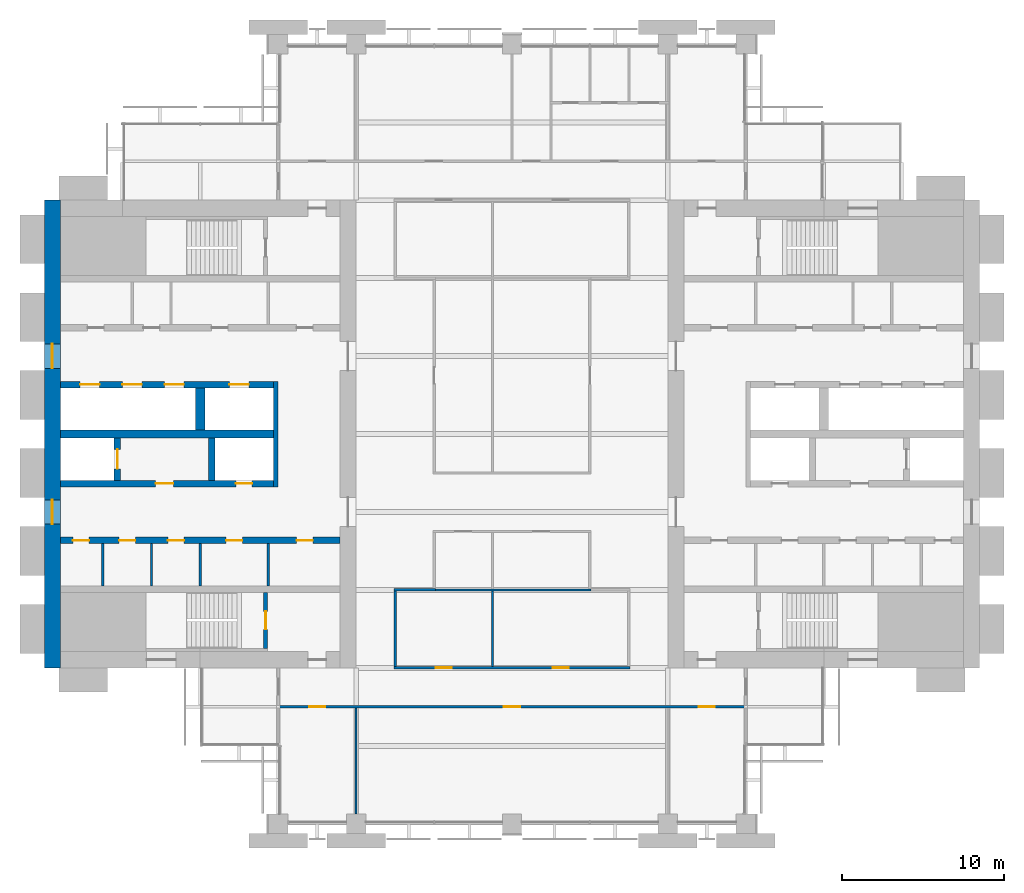
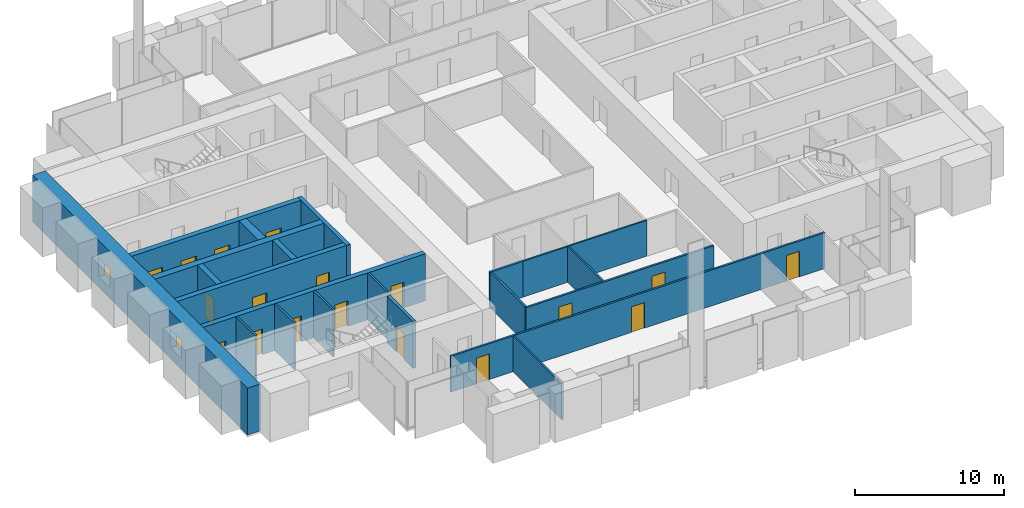
# One storey, part 9 of 14: 21 walls, 18 doors, 2 windows, 20 openings.
"""IFC4 building model written with IfcOpenShell, lengths in metres."""

from ifc_helpers import new_model, si_unit, direction, frame, frame_2d, origin, place, context, subcontext, project, spatial, rectangle, extrude, material, layer, layer_set, type_object, element, fill, save


model = new_model("IFC4")

# Units and contexts
model_context = context("Model", 3, precision=1e-05, world=origin(), true_north=direction((0.0, 1.0)))
body_context = subcontext(model_context, "Body", "Model", "MODEL_VIEW")
ifc_project = project(units=[si_unit("LENGTHUNIT", "METRE"), si_unit("AREAUNIT", "SQUARE_METRE"), si_unit("VOLUMEUNIT", "CUBIC_METRE"), si_unit("PLANEANGLEUNIT", "RADIAN"), si_unit("MASSUNIT", "GRAM", prefix="KILO")], contexts=[model_context])

# Site, building, storey
site_placement = place(None, origin())
site = spatial("IfcSite", under=ifc_project, at=site_placement, CompositionType="ELEMENT")
building_placement = place(site_placement, origin())
building = spatial("IfcBuilding", under=site, at=building_placement, Name="Baori Bourse Tower", CompositionType="ELEMENT")
storey_placement = place(building_placement, frame((0.0, 0.0, 144.10009765625)))
storey = spatial("IfcBuildingStorey", under=building, at=storey_placement, Name="L31", CompositionType="ELEMENT", Elevation=144.10009765625)

# Walls
ifc_material_1 = material(Name="Blockwork partition", Category="masonry")
ifc_layer_1 = layer(ifc_material_1, 0.14990234375)
ifc_layer_set_1 = layer_set([ifc_layer_1], Name="Core partition 150")
wall_type_1 = type_object("IfcWallType", Name="Core partition 150", PredefinedType="PARTITIONING", material=ifc_layer_set_1)
for number, where, z_axis, x_axis, name in (
    (1, (3.60009765625, 14.64990234375, 0.0), (0.0, 0.0, 1.0), (0.0, 1.0, 0.0), "Partition wall W10"),
    (2, (6.60009765625, 14.64990234375, 0.0), (0.0, 0.0, 1.0), (0.0, 1.0, 0.0), "Partition wall W11"),
    (3, (9.60009765625, 14.64990234375, 0.0), (0.0, 0.0, 1.0), (0.0, 1.0, 0.0), "Partition wall W12"),
    (4, (13.800048828125, 14.64990234375, 0.0), (0.0, 0.0, 1.0), (0.0, 1.0, 0.0), "Partition wall W13"),
):
    element("IfcWall", number, at=place(storey_placement, frame(where, z_axis=z_axis, x_axis=x_axis)), inside=storey, type_object=wall_type_1, Name=name, PredefinedType="PARTITIONING", context=body_context, shape_type="SweptSolid", body=[
        extrude(rectangle(XDim=2.60009765625, YDim=0.14990234375, at=frame_2d((1.300048828125, 0.0))), origin(), (0.0, 0.0, 1.0), 3.83984375),
    ])

# Wall, openings, windows
ifc_material_2 = material(Name="Concrete f'c 60 MPa", Category="concrete")
ifc_layer_2 = layer(ifc_material_2, 1.0)
ifc_layer_set_2 = layer_set([ifc_layer_2], Name="Core wall 1000 f'c 60")
wall_type_2 = type_object("IfcWallType", Name="Core wall 1000 f'c 60", PredefinedType="SHEAR", material=ifc_layer_set_2)
wall_1_placement = place(storey_placement, frame((0.5, 9.60009765625, 0.0), z_axis=(0.0, 0.0, 1.0), x_axis=(0.0, 1.0, 0.0)))
wall_1 = element("IfcWall", 5, at=wall_1_placement, inside=storey, type_object=wall_type_2, Name="Core wall W01", PredefinedType="SHEAR", context=body_context, shape_type="SweptSolid", body=[
    extrude(rectangle(XDim=28.7998046875, YDim=1.0, at=frame_2d((14.39990234375, 0.0))), origin(), (0.0, 0.0, 1.0), 3.83984375),
])
opening_1_placement = place(wall_1_placement, frame((8.85009765625, 0.0, 0.89990234375)))
opening_1 = element("IfcOpeningElement", 6, at=opening_1_placement, cuts=wall_1, Name="Opening L31-KW101", PredefinedType="OPENING", context=body_context, shape_type="SweptSolid", body=[
    extrude(rectangle(XDim=1.5, YDim=1.5, at=frame_2d((0.75, 0.75))), frame((0.0, 0.510009765625, 0.0), z_axis=(0.0, -1.0, 0.0), x_axis=(1.0, 0.0, 0.0)), (0.0, 0.0, 1.0), 1.02001953125),
])
opening_2_placement = place(wall_1_placement, frame((18.449951171875, 0.0, 0.89990234375)))
opening_2 = element("IfcOpeningElement", 7, at=opening_2_placement, cuts=wall_1, Name="Opening L31-KW102", PredefinedType="OPENING", context=body_context, shape_type="SweptSolid", body=[
    extrude(rectangle(XDim=1.5, YDim=1.5, at=frame_2d((0.75, 0.75))), frame((0.0, 0.510009765625, 0.0), z_axis=(0.0, -1.0, 0.0), x_axis=(1.0, 0.0, 0.0)), (0.0, 0.0, 1.0), 1.02001953125),
])
ifc_material_3 = material(Name="Pale anodised aluminium", Category="aluminium")
window_type = type_object("IfcWindowType", Name="Lobby window 1500 x 1500", PartitioningType="SINGLE_PANEL", PredefinedType="WINDOW", material=ifc_material_3)
window_1_placement = place(opening_1_placement, origin())
window_1 = element("IfcWindow", 8, at=window_1_placement, inside=storey, type_object=window_type, Name="Outer wall window W L31 1", OverallHeight=1.5, OverallWidth=1.5, PartitioningType="SINGLE_PANEL", PredefinedType="WINDOW", context=body_context, shape_type="SweptSolid", body=[
    extrude(rectangle(XDim=1.5, YDim=1.5, at=frame_2d((0.75, 0.75))), frame((0.0, 0.030029296875, 0.0), z_axis=(0.0, -1.0, 0.0), x_axis=(1.0, 0.0, 0.0)), (0.0, 0.0, 1.0), 0.06005859375),
])
fill(opening_1, window_1)
window_2_placement = place(opening_2_placement, origin())
window_2 = element("IfcWindow", 9, at=window_2_placement, inside=storey, type_object=window_type, Name="Outer wall window W L31 2", OverallHeight=1.5, OverallWidth=1.5, PartitioningType="SINGLE_PANEL", PredefinedType="WINDOW", context=body_context, shape_type="SweptSolid", body=[
    extrude(rectangle(XDim=1.5, YDim=1.5, at=frame_2d((0.75, 0.75))), frame((0.0, 0.030029296875, 0.0), z_axis=(0.0, -1.0, 0.0), x_axis=(1.0, 0.0, 0.0)), (0.0, 0.0, 1.0), 0.06005859375),
])
fill(opening_2, window_2)

# Wall, openings, doors
ifc_material_4 = material(Name="Gypsum board partition")
ifc_layer_3 = layer(ifc_material_4, 0.14990234375)
ifc_layer_set_3 = layer_set([ifc_layer_3], Name="Corridor partition 150")
wall_type_3 = type_object("IfcWallType", Name="Corridor partition 150", PredefinedType="PARTITIONING", material=ifc_layer_set_3)
wall_2_placement = place(storey_placement, frame((14.324951171875, 7.199951171875, 0.0), z_axis=(0.0, 0.0, 1.0), x_axis=(1.0, 0.0, 0.0)))
wall_2 = element("IfcWall", 10, at=wall_2_placement, inside=storey, type_object=wall_type_3, Name="Partition", PredefinedType="PARTITIONING", context=body_context, shape_type="SweptSolid", body=[
    extrude(rectangle(XDim=28.949951171875, YDim=0.14990234375, at=frame_2d((14.47509765625, 0.0))), origin(), (0.0, 0.0, 1.0), 2.935546875),
])
opening_3_placement = place(wall_2_placement, frame((1.97509765625, 0.0, 0.0)))
opening_3 = element("IfcOpeningElement", 11, at=opening_3_placement, cuts=wall_2, Name="Opening L31-D01", PredefinedType="OPENING", context=body_context, shape_type="SweptSolid", body=[
    extrude(rectangle(XDim=1.0, YDim=2.10009765625, at=frame_2d((0.5, 1.050048828125))), frame((0.0, 0.0849609375, 0.0), z_axis=(0.0, -1.0, 0.0), x_axis=(1.0, 0.0, 0.0)), (0.0, 0.0, 1.0), 0.169921875),
])
opening_4_placement = place(wall_2_placement, frame((13.97509765625, 0.0, 0.0)))
opening_4 = element("IfcOpeningElement", 12, at=opening_4_placement, cuts=wall_2, Name="Opening L31-D02", PredefinedType="OPENING", context=body_context, shape_type="SweptSolid", body=[
    extrude(rectangle(XDim=1.0, YDim=2.10009765625, at=frame_2d((0.5, 1.050048828125))), frame((0.0, 0.0849609375, 0.0), z_axis=(0.0, -1.0, 0.0), x_axis=(1.0, 0.0, 0.0)), (0.0, 0.0, 1.0), 0.169921875),
])
opening_5_placement = place(wall_2_placement, frame((25.97509765625, 0.0, 0.0)))
opening_5 = element("IfcOpeningElement", 13, at=opening_5_placement, cuts=wall_2, Name="Opening L31-D03", PredefinedType="OPENING", context=body_context, shape_type="SweptSolid", body=[
    extrude(rectangle(XDim=1.0, YDim=2.10009765625, at=frame_2d((0.5, 1.050048828125))), frame((0.0, 0.0849609375, 0.0), z_axis=(0.0, -1.0, 0.0), x_axis=(1.0, 0.0, 0.0)), (0.0, 0.0, 1.0), 0.169921875),
])
ifc_material_5 = material(Name="Timber door leaf", Category="wood")
door_type_1 = type_object("IfcDoorType", Name="Door 1000 x 2100", OperationType="SINGLE_SWING_LEFT", PredefinedType="DOOR", material=ifc_material_5)
door_1_placement = place(opening_3_placement, origin())
door_1 = element("IfcDoor", 14, at=door_1_placement, inside=storey, type_object=door_type_1, Name="Door", OperationType="SINGLE_SWING_LEFT", OverallHeight=2.10009765625, OverallWidth=1.0, PredefinedType="DOOR", context=body_context, shape_type="SweptSolid", body=[
    extrude(rectangle(XDim=1.0, YDim=2.10009765625, at=frame_2d((0.5, 1.050048828125))), frame((0.0, 0.02490234375, 0.0), z_axis=(0.0, -1.0, 0.0), x_axis=(1.0, 0.0, 0.0)), (0.0, 0.0, 1.0), 0.050048828125),
])
fill(opening_3, door_1)
door_2_placement = place(opening_4_placement, origin())
door_2 = element("IfcDoor", 15, at=door_2_placement, inside=storey, type_object=door_type_1, Name="Door", OperationType="SINGLE_SWING_RIGHT", OverallHeight=2.10009765625, OverallWidth=1.0, PredefinedType="DOOR", context=body_context, shape_type="SweptSolid", body=[
    extrude(rectangle(XDim=1.0, YDim=2.10009765625, at=frame_2d((0.5, 1.050048828125))), frame((0.0, 0.02490234375, 0.0), z_axis=(0.0, -1.0, 0.0), x_axis=(1.0, 0.0, 0.0)), (0.0, 0.0, 1.0), 0.050048828125),
])
fill(opening_4, door_2)
door_3_placement = place(opening_5_placement, origin())
door_3 = element("IfcDoor", 16, at=door_3_placement, inside=storey, type_object=door_type_1, Name="Door", OperationType="SINGLE_SWING_RIGHT", OverallHeight=2.10009765625, OverallWidth=1.0, PredefinedType="DOOR", context=body_context, shape_type="SweptSolid", body=[
    extrude(rectangle(XDim=1.0, YDim=2.10009765625, at=frame_2d((0.5, 1.050048828125))), frame((0.0, 0.02490234375, 0.0), z_axis=(0.0, -1.0, 0.0), x_axis=(1.0, 0.0, 0.0)), (0.0, 0.0, 1.0), 0.050048828125),
])
fill(opening_5, door_3)

wall_3_placement = place(storey_placement, frame((21.52490234375, 9.60009765625, 0.0), z_axis=(0.0, 0.0, 1.0), x_axis=(1.0, 0.0, 0.0)))
wall_3 = element("IfcWall", 17, at=wall_3_placement, inside=storey, type_object=wall_type_3, Name="Partition", PredefinedType="PARTITIONING", context=body_context, shape_type="SweptSolid", body=[
    extrude(rectangle(XDim=14.550048828125, YDim=0.14990234375, at=frame_2d((7.27490234375, 0.0))), origin(), (0.0, 0.0, 1.0), 2.935546875),
])
opening_6_placement = place(wall_3_placement, frame((2.574951171875, 0.0, 0.0)))
opening_6 = element("IfcOpeningElement", 18, at=opening_6_placement, cuts=wall_3, Name="Opening L31-D04", PredefinedType="OPENING", context=body_context, shape_type="SweptSolid", body=[
    extrude(rectangle(XDim=1.0, YDim=2.10009765625, at=frame_2d((0.5, 1.050048828125))), frame((0.0, 0.0849609375, 0.0), z_axis=(0.0, -1.0, 0.0), x_axis=(1.0, 0.0, 0.0)), (0.0, 0.0, 1.0), 0.169921875),
])
opening_7_placement = place(wall_3_placement, frame((9.77490234375, 0.0, 0.0)))
opening_7 = element("IfcOpeningElement", 19, at=opening_7_placement, cuts=wall_3, Name="Opening L31-D05", PredefinedType="OPENING", context=body_context, shape_type="SweptSolid", body=[
    extrude(rectangle(XDim=1.0, YDim=2.10009765625, at=frame_2d((0.5, 1.050048828125))), frame((0.0, 0.0849609375, 0.0), z_axis=(0.0, -1.0, 0.0), x_axis=(1.0, 0.0, 0.0)), (0.0, 0.0, 1.0), 0.169921875),
])
door_4_placement = place(opening_6_placement, origin())
door_4 = element("IfcDoor", 20, at=door_4_placement, inside=storey, type_object=door_type_1, Name="Door", OperationType="SINGLE_SWING_RIGHT", OverallHeight=2.10009765625, OverallWidth=1.0, PredefinedType="DOOR", context=body_context, shape_type="SweptSolid", body=[
    extrude(rectangle(XDim=1.0, YDim=2.10009765625, at=frame_2d((0.5, 1.050048828125))), frame((0.0, 0.02490234375, 0.0), z_axis=(0.0, -1.0, 0.0), x_axis=(1.0, 0.0, 0.0)), (0.0, 0.0, 1.0), 0.050048828125),
])
fill(opening_6, door_4)
door_5_placement = place(opening_7_placement, origin())
door_5 = element("IfcDoor", 21, at=door_5_placement, inside=storey, type_object=door_type_1, Name="Door", OperationType="SINGLE_SWING_LEFT", OverallHeight=2.10009765625, OverallWidth=1.0, PredefinedType="DOOR", context=body_context, shape_type="SweptSolid", body=[
    extrude(rectangle(XDim=1.0, YDim=2.10009765625, at=frame_2d((0.5, 1.050048828125))), frame((0.0, 0.02490234375, 0.0), z_axis=(0.0, -1.0, 0.0), x_axis=(1.0, 0.0, 0.0)), (0.0, 0.0, 1.0), 0.050048828125),
])
fill(opening_7, door_5)

# Walls
wall_4_placement = place(storey_placement, frame((21.52490234375, 14.39990234375, 0.0), z_axis=(0.0, 0.0, 1.0), x_axis=(1.0, 0.0, 0.0)))
element("IfcWall", 22, at=wall_4_placement, inside=storey, type_object=wall_type_3, Name="Partition", PredefinedType="PARTITIONING", context=body_context, shape_type="SweptSolid", body=[
    extrude(rectangle(XDim=2.550048828125, YDim=0.14990234375, at=frame_2d((1.27490234375, 0.0))), origin(), (0.0, 0.0, 1.0), 2.935546875),
])
wall_5_placement = place(storey_placement, frame((21.60009765625, 9.675048828125, 0.0), z_axis=(0.0, 0.0, 1.0), x_axis=(0.0, 1.0, 0.0)))
element("IfcWall", 23, at=wall_5_placement, inside=storey, type_object=wall_type_3, Name="Partition", PredefinedType="PARTITIONING", context=body_context, shape_type="SweptSolid", body=[
    extrude(rectangle(XDim=4.64990234375, YDim=0.14990234375, at=frame_2d((2.324951171875, 0.0))), origin(), (0.0, 0.0, 1.0), 2.935546875),
])
ifc_material_6 = material(Name="Gypsum board partition")
ifc_layer_4 = layer(ifc_material_6, 0.125)
ifc_layer_set_4 = layer_set([ifc_layer_4], Name="Partition 125")
wall_type_4 = type_object("IfcWallType", Name="Partition 125", PredefinedType="PARTITIONING", material=ifc_layer_set_4)
wall_6_placement = place(storey_placement, frame((24.074951171875, 14.39990234375, 0.0), z_axis=(0.0, 0.0, 1.0), x_axis=(1.0, 0.0, 0.0)))
element("IfcWall", 24, at=wall_6_placement, inside=storey, type_object=wall_type_4, Name="Partition", PredefinedType="PARTITIONING", context=body_context, shape_type="SweptSolid", body=[
    extrude(rectangle(XDim=9.60009765625, YDim=0.125, at=frame_2d((4.800048828125, 0.0))), origin(), (0.0, 0.0, 1.0), 2.935546875),
])
wall_7_placement = place(storey_placement, frame((19.199951171875, 0.60009765625, 0.0), z_axis=(0.0, 0.0, 1.0), x_axis=(0.0, 1.0, 0.0)))
element("IfcWall", 25, at=wall_7_placement, inside=storey, type_object=wall_type_4, Name="Partition", PredefinedType="PARTITIONING", context=body_context, shape_type="SweptSolid", body=[
    extrude(rectangle(XDim=6.52490234375, YDim=0.125, at=frame_2d((3.262451171875, 0.0))), origin(), (0.0, 0.0, 1.0), 2.935546875),
])
wall_8_placement = place(storey_placement, frame((27.60009765625, 9.675048828125, 0.0), z_axis=(0.0, 0.0, 1.0), x_axis=(0.0, 1.0, 0.0)))
element("IfcWall", 26, at=wall_8_placement, inside=storey, type_object=wall_type_4, Name="Partition", PredefinedType="PARTITIONING", context=body_context, shape_type="SweptSolid", body=[
    extrude(rectangle(XDim=4.662353515625, YDim=0.125, at=frame_2d((2.3310546875, 0.0))), origin(), (0.0, 0.0, 1.0), 2.935546875),
])

# Wall, opening, door
ifc_material_7 = material(Name="Concrete f'c 60 MPa", Category="concrete")
ifc_layer_5 = layer(ifc_material_7, 0.25)
ifc_layer_set_5 = layer_set([ifc_layer_5], Name="Shaft wall 250 f'c 60")
wall_type_5 = type_object("IfcWallType", Name="Shaft wall 250 f'c 60", PredefinedType="SHEAR", material=ifc_layer_set_5)
wall_9_placement = place(storey_placement, frame((13.625, 10.800048828125, 0.0), z_axis=(0.0, 0.0, 1.0), x_axis=(0.0, 1.0, 0.0)))
wall_9 = element("IfcWall", 27, at=wall_9_placement, inside=storey, type_object=wall_type_5, Name="Core wall W08", PredefinedType="SHEAR", context=body_context, shape_type="SweptSolid", body=[
    extrude(rectangle(XDim=3.449951171875, YDim=0.25, at=frame_2d((1.72509765625, 0.0))), origin(), (0.0, 0.0, 1.0), 3.83984375),
])
opening_8_placement = place(wall_9_placement, frame((1.175048828125, 0.0, 0.0)))
opening_8 = element("IfcOpeningElement", 28, at=opening_8_placement, cuts=wall_9, Name="Opening L31-D101", PredefinedType="OPENING", context=body_context, shape_type="SweptSolid", body=[
    extrude(rectangle(XDim=1.10009765625, YDim=2.10009765625, at=frame_2d((0.550048828125, 1.050048828125))), frame((0.0, 0.135009765625, 0.0), z_axis=(0.0, -1.0, 0.0), x_axis=(1.0, 0.0, 0.0)), (0.0, 0.0, 1.0), 0.27001953125),
])
ifc_material_8 = material(Name="Painted steel door", Category="steel")
door_type_2 = type_object("IfcDoorType", Name="Stair door 1100", OperationType="SINGLE_SWING_LEFT", PredefinedType="DOOR", material=ifc_material_8)
door_6_placement = place(opening_8_placement, origin())
door_6 = element("IfcDoor", 29, at=door_6_placement, inside=storey, type_object=door_type_2, Name="Stair door A W L31", OperationType="SINGLE_SWING_LEFT", OverallHeight=2.10009765625, OverallWidth=1.10009765625, PredefinedType="DOOR", context=body_context, shape_type="SweptSolid", body=[
    extrude(rectangle(XDim=1.10009765625, YDim=2.10009765625, at=frame_2d((0.550048828125, 1.050048828125))), frame((0.0, 0.02490234375, 0.0), z_axis=(0.0, -1.0, 0.0), x_axis=(1.0, 0.0, 0.0)), (0.0, 0.0, 1.0), 0.050048828125),
])
fill(opening_8, door_6)

# Wall
ifc_material_9 = material(Name="Concrete f'c 60 MPa", Category="concrete")
ifc_layer_6 = layer(ifc_material_9, 0.300048828125)
ifc_layer_set_6 = layer_set([ifc_layer_6], Name="Shaft wall 300 f'c 60")
wall_type_6 = type_object("IfcWallType", Name="Shaft wall 300 f'c 60", PredefinedType="SHEAR", material=ifc_layer_set_6)
wall_10_placement = place(storey_placement, frame((14.25, 20.75, 0.0), z_axis=(0.0, 0.0, 1.0), x_axis=(0.0, 1.0, 0.0)))
element("IfcWall", 30, at=wall_10_placement, inside=storey, type_object=wall_type_6, Name="Core wall W16", PredefinedType="SHEAR", context=body_context, shape_type="SweptSolid", body=[
    extrude(rectangle(XDim=6.5, YDim=0.300048828125, at=frame_2d((3.25, 0.0))), origin(), (0.0, 0.0, 1.0), 3.83984375),
])

# Wall, openings, doors
ifc_material_10 = material(Name="Concrete f'c 60 MPa", Category="concrete")
ifc_layer_7 = layer(ifc_material_10, 0.39990234375)
ifc_layer_set_7 = layer_set([ifc_layer_7], Name="Shaft wall 400 f'c 60")
wall_type_7 = type_object("IfcWallType", Name="Shaft wall 400 f'c 60", PredefinedType="SHEAR", material=ifc_layer_set_7)
wall_11_placement = place(storey_placement, frame((1.0, 17.449951171875, 0.0), z_axis=(0.0, 0.0, 1.0), x_axis=(1.0, 0.0, 0.0)))
wall_11 = element("IfcWall", 31, at=wall_11_placement, inside=storey, type_object=wall_type_7, Name="Core wall W14", PredefinedType="SHEAR", context=body_context, shape_type="SweptSolid", body=[
    extrude(rectangle(XDim=17.199951171875, YDim=0.39990234375, at=frame_2d((8.60009765625, 0.0))), origin(), (0.0, 0.0, 1.0), 3.83984375),
])
opening_9_placement = place(wall_11_placement, frame((0.762451171875, 0.0, 0.0)))
opening_9 = element("IfcOpeningElement", 32, at=opening_9_placement, cuts=wall_11, Name="Opening L31-D113", PredefinedType="OPENING", context=body_context, shape_type="SweptSolid", body=[
    extrude(rectangle(XDim=1.0, YDim=2.10009765625, at=frame_2d((0.5, 1.050048828125))), frame((0.0, 0.2099609375, 0.0), z_axis=(0.0, -1.0, 0.0), x_axis=(1.0, 0.0, 0.0)), (0.0, 0.0, 1.0), 0.419921875),
])
opening_10_placement = place(wall_11_placement, frame((3.60009765625, 0.0, 0.0)))
opening_10 = element("IfcOpeningElement", 33, at=opening_10_placement, cuts=wall_11, Name="Opening L31-D114", PredefinedType="OPENING", context=body_context, shape_type="SweptSolid", body=[
    extrude(rectangle(XDim=1.0, YDim=2.10009765625, at=frame_2d((0.5, 1.050048828125))), frame((0.0, 0.2099609375, 0.0), z_axis=(0.0, -1.0, 0.0), x_axis=(1.0, 0.0, 0.0)), (0.0, 0.0, 1.0), 0.419921875),
])
opening_11_placement = place(wall_11_placement, frame((6.60009765625, 0.0, 0.0)))
opening_11 = element("IfcOpeningElement", 34, at=opening_11_placement, cuts=wall_11, Name="Opening L31-D115", PredefinedType="OPENING", context=body_context, shape_type="SweptSolid", body=[
    extrude(rectangle(XDim=1.0, YDim=2.10009765625, at=frame_2d((0.5, 1.050048828125))), frame((0.0, 0.2099609375, 0.0), z_axis=(0.0, -1.0, 0.0), x_axis=(1.0, 0.0, 0.0)), (0.0, 0.0, 1.0), 0.419921875),
])
opening_12_placement = place(wall_11_placement, frame((10.199951171875, 0.0, 0.0)))
opening_12 = element("IfcOpeningElement", 35, at=opening_12_placement, cuts=wall_11, Name="Opening L31-D116", PredefinedType="OPENING", context=body_context, shape_type="SweptSolid", body=[
    extrude(rectangle(XDim=1.0, YDim=2.10009765625, at=frame_2d((0.5, 1.050048828125))), frame((0.0, 0.2099609375, 0.0), z_axis=(0.0, -1.0, 0.0), x_axis=(1.0, 0.0, 0.0)), (0.0, 0.0, 1.0), 0.419921875),
])
opening_13_placement = place(wall_11_placement, frame((14.53759765625, 0.0, 0.0)))
opening_13 = element("IfcOpeningElement", 36, at=opening_13_placement, cuts=wall_11, Name="Opening L31-D117", PredefinedType="OPENING", context=body_context, shape_type="SweptSolid", body=[
    extrude(rectangle(XDim=1.0, YDim=2.10009765625, at=frame_2d((0.5, 1.050048828125))), frame((0.0, 0.2099609375, 0.0), z_axis=(0.0, -1.0, 0.0), x_axis=(1.0, 0.0, 0.0)), (0.0, 0.0, 1.0), 0.419921875),
])
ifc_material_11 = material(Name="Painted steel door", Category="steel")
door_type_3 = type_object("IfcDoorType", Name="Core door 1000", OperationType="SINGLE_SWING_LEFT", PredefinedType="DOOR", material=ifc_material_11)
door_7_placement = place(opening_9_placement, origin())
door_7 = element("IfcDoor", 37, at=door_7_placement, inside=storey, type_object=door_type_3, Name="Pantry door W L31", OperationType="SINGLE_SWING_LEFT", OverallHeight=2.10009765625, OverallWidth=1.0, PredefinedType="DOOR", context=body_context, shape_type="SweptSolid", body=[
    extrude(rectangle(XDim=1.0, YDim=2.10009765625, at=frame_2d((0.5, 1.050048828125))), frame((0.0, 0.02490234375, 0.0), z_axis=(0.0, -1.0, 0.0), x_axis=(1.0, 0.0, 0.0)), (0.0, 0.0, 1.0), 0.050048828125),
])
fill(opening_9, door_7)
door_8_placement = place(opening_10_placement, origin())
door_8 = element("IfcDoor", 38, at=door_8_placement, inside=storey, type_object=door_type_3, Name="Accessible Wc door W L31", OperationType="SINGLE_SWING_LEFT", OverallHeight=2.10009765625, OverallWidth=1.0, PredefinedType="DOOR", context=body_context, shape_type="SweptSolid", body=[
    extrude(rectangle(XDim=1.0, YDim=2.10009765625, at=frame_2d((0.5, 1.050048828125))), frame((0.0, 0.02490234375, 0.0), z_axis=(0.0, -1.0, 0.0), x_axis=(1.0, 0.0, 0.0)), (0.0, 0.0, 1.0), 0.050048828125),
])
fill(opening_10, door_8)
door_9_placement = place(opening_12_placement, origin())
door_9 = element("IfcDoor", 39, at=door_9_placement, inside=storey, type_object=door_type_3, Name="Men'S Wc door W L31", OperationType="SINGLE_SWING_LEFT", OverallHeight=2.10009765625, OverallWidth=1.0, PredefinedType="DOOR", context=body_context, shape_type="SweptSolid", body=[
    extrude(rectangle(XDim=1.0, YDim=2.10009765625, at=frame_2d((0.5, 1.050048828125))), frame((0.0, 0.02490234375, 0.0), z_axis=(0.0, -1.0, 0.0), x_axis=(1.0, 0.0, 0.0)), (0.0, 0.0, 1.0), 0.050048828125),
])
fill(opening_12, door_9)
door_10_placement = place(opening_13_placement, origin())
door_10 = element("IfcDoor", 40, at=door_10_placement, inside=storey, type_object=door_type_3, Name="Women'S Wc door W L31", OperationType="SINGLE_SWING_LEFT", OverallHeight=2.10009765625, OverallWidth=1.0, PredefinedType="DOOR", context=body_context, shape_type="SweptSolid", body=[
    extrude(rectangle(XDim=1.0, YDim=2.10009765625, at=frame_2d((0.5, 1.050048828125))), frame((0.0, 0.02490234375, 0.0), z_axis=(0.0, -1.0, 0.0), x_axis=(1.0, 0.0, 0.0)), (0.0, 0.0, 1.0), 0.050048828125),
])
fill(opening_13, door_10)
ifc_material_12 = material(Name="Painted steel door", Category="steel")
door_type_4 = type_object("IfcDoorType", Name="Plant room door 1000", OperationType="SINGLE_SWING_LEFT", PredefinedType="DOOR", material=ifc_material_12)
door_11_placement = place(opening_11_placement, origin())
door_11 = element("IfcDoor", 41, at=door_11_placement, inside=storey, type_object=door_type_4, Name="Electrical Room door W L31", OperationType="SINGLE_SWING_LEFT", OverallHeight=2.10009765625, OverallWidth=1.0, PredefinedType="DOOR", context=body_context, shape_type="SweptSolid", body=[
    extrude(rectangle(XDim=1.0, YDim=2.10009765625, at=frame_2d((0.5, 1.050048828125))), frame((0.0, 0.02490234375, 0.0), z_axis=(0.0, -1.0, 0.0), x_axis=(1.0, 0.0, 0.0)), (0.0, 0.0, 1.0), 0.050048828125),
])
fill(opening_11, door_11)

wall_12_placement = place(storey_placement, frame((1.0, 20.949951171875, 0.0), z_axis=(0.0, 0.0, 1.0), x_axis=(1.0, 0.0, 0.0)))
wall_12 = element("IfcWall", 42, at=wall_12_placement, inside=storey, type_object=wall_type_7, Name="Core wall W15", PredefinedType="SHEAR", context=body_context, shape_type="SweptSolid", body=[
    extrude(rectangle(XDim=13.10009765625, YDim=0.39990234375, at=frame_2d((6.550048828125, 0.0))), origin(), (0.0, 0.0, 1.0), 3.83984375),
])
opening_14_placement = place(wall_12_placement, frame((5.85009765625, 0.0, 0.0)))
opening_14 = element("IfcOpeningElement", 43, at=opening_14_placement, cuts=wall_12, Name="Opening L31-D105", PredefinedType="OPENING", context=body_context, shape_type="SweptSolid", body=[
    extrude(rectangle(XDim=1.10009765625, YDim=2.10009765625, at=frame_2d((0.550048828125, 1.050048828125))), frame((0.0, 0.2099609375, 0.0), z_axis=(0.0, -1.0, 0.0), x_axis=(1.0, 0.0, 0.0)), (0.0, 0.0, 1.0), 0.419921875),
])
opening_15_placement = place(wall_12_placement, frame((10.800048828125, 0.0, 0.0)))
opening_15 = element("IfcOpeningElement", 44, at=opening_15_placement, cuts=wall_12, Name="Opening L31-D106", PredefinedType="OPENING", context=body_context, shape_type="SweptSolid", body=[
    extrude(rectangle(XDim=1.0, YDim=2.10009765625, at=frame_2d((0.5, 1.050048828125))), frame((0.0, 0.2099609375, 0.0), z_axis=(0.0, -1.0, 0.0), x_axis=(1.0, 0.0, 0.0)), (0.0, 0.0, 1.0), 0.419921875),
])
ifc_material_13 = material(Name="Painted steel door", Category="steel")
door_type_5 = type_object("IfcDoorType", Name="Lobby door 1100", OperationType="SINGLE_SWING_LEFT", PredefinedType="DOOR", material=ifc_material_13)
door_12_placement = place(opening_14_placement, origin())
door_12 = element("IfcDoor", 45, at=door_12_placement, inside=storey, type_object=door_type_5, Name="Firefighting lobby door W L31", OperationType="SINGLE_SWING_LEFT", OverallHeight=2.10009765625, OverallWidth=1.10009765625, PredefinedType="DOOR", context=body_context, shape_type="SweptSolid", body=[
    extrude(rectangle(XDim=1.10009765625, YDim=2.10009765625, at=frame_2d((0.550048828125, 1.050048828125))), frame((0.0, 0.02490234375, 0.0), z_axis=(0.0, -1.0, 0.0), x_axis=(1.0, 0.0, 0.0)), (0.0, 0.0, 1.0), 0.050048828125),
])
fill(opening_14, door_12)
ifc_material_14 = material(Name="Painted steel door", Category="steel")
door_type_6 = type_object("IfcDoorType", Name="Shaft door 1000", OperationType="SINGLE_SWING_LEFT", PredefinedType="DOOR", material=ifc_material_14)
door_13_placement = place(opening_15_placement, origin())
door_13 = element("IfcDoor", 46, at=door_13_placement, inside=storey, type_object=door_type_6, Name="Riser room door W L31", OperationType="SINGLE_SWING_LEFT", OverallHeight=2.10009765625, OverallWidth=1.0, PredefinedType="DOOR", context=body_context, shape_type="SweptSolid", body=[
    extrude(rectangle(XDim=1.0, YDim=2.10009765625, at=frame_2d((0.5, 1.050048828125))), frame((0.0, 0.02490234375, 0.0), z_axis=(0.0, -1.0, 0.0), x_axis=(1.0, 0.0, 0.0)), (0.0, 0.0, 1.0), 0.050048828125),
])
fill(opening_15, door_13)

# Wall, opening, door
wall_13_placement = place(storey_placement, frame((4.5, 21.14990234375, 0.0), z_axis=(0.0, 0.0, 1.0), x_axis=(0.0, 1.0, 0.0)))
wall_13 = element("IfcWall", 47, at=wall_13_placement, inside=storey, type_object=wall_type_7, Name="Core wall W17", PredefinedType="SHEAR", context=body_context, shape_type="SweptSolid", body=[
    extrude(rectangle(XDim=2.60009765625, YDim=0.39990234375, at=frame_2d((1.300048828125, 0.0))), origin(), (0.0, 0.0, 1.0), 3.83984375),
])
opening_16_placement = place(wall_13_placement, frame((0.699951171875, 0.0, 0.0)))
opening_16 = element("IfcOpeningElement", 48, at=opening_16_placement, cuts=wall_13, Name="Opening L31-D122", PredefinedType="OPENING", context=body_context, shape_type="SweptSolid", body=[
    extrude(rectangle(XDim=1.199951171875, YDim=2.10009765625, at=frame_2d((0.60009765625, 1.050048828125))), frame((0.0, 0.2099609375, 0.0), z_axis=(0.0, -1.0, 0.0), x_axis=(1.0, 0.0, 0.0)), (0.0, 0.0, 1.0), 0.419921875),
])
ifc_material_15 = material(Name="Stainless steel door", Category="steel")
door_type_7 = type_object("IfcDoorType", Name="Lift landing door", OperationType="DOUBLE_DOOR_SLIDING", PredefinedType="DOOR", material=ifc_material_15)
door_14_placement = place(opening_16_placement, origin())
door_14 = element("IfcDoor", 49, at=door_14_placement, inside=storey, type_object=door_type_7, Name="Lift landing door FF1 W L31", OperationType="DOUBLE_DOOR_SLIDING", OverallHeight=2.10009765625, OverallWidth=1.199951171875, PredefinedType="DOOR", context=body_context, shape_type="SweptSolid", body=[
    extrude(rectangle(XDim=1.199951171875, YDim=2.10009765625, at=frame_2d((0.60009765625, 1.050048828125))), frame((0.0, 0.02490234375, 0.0), z_axis=(0.0, -1.0, 0.0), x_axis=(1.0, 0.0, 0.0)), (0.0, 0.0, 1.0), 0.050048828125),
])
fill(opening_16, door_14)

# Wall
wall_14_placement = place(storey_placement, frame((10.300048828125, 21.14990234375, 0.0), z_axis=(0.0, 0.0, 1.0), x_axis=(0.0, 1.0, 0.0)))
element("IfcWall", 50, at=wall_14_placement, inside=storey, type_object=wall_type_7, Name="Core wall W18", PredefinedType="SHEAR", context=body_context, shape_type="SweptSolid", body=[
    extrude(rectangle(XDim=2.60009765625, YDim=0.39990234375, at=frame_2d((1.300048828125, 0.0))), origin(), (0.0, 0.0, 1.0), 3.83984375),
])

# Wall, openings, doors
wall_15_placement = place(storey_placement, frame((1.0, 27.050048828125, 0.0), z_axis=(0.0, 0.0, 1.0), x_axis=(1.0, 0.0, 0.0)))
wall_15 = element("IfcWall", 51, at=wall_15_placement, inside=storey, type_object=wall_type_7, Name="Core wall W21", PredefinedType="SHEAR", context=body_context, shape_type="SweptSolid", body=[
    extrude(rectangle(XDim=13.10009765625, YDim=0.39990234375, at=frame_2d((6.550048828125, 0.0))), origin(), (0.0, 0.0, 1.0), 3.83984375),
])
opening_17_placement = place(wall_15_placement, frame((1.199951171875, 0.0, 0.0)))
opening_17 = element("IfcOpeningElement", 52, at=opening_17_placement, cuts=wall_15, Name="Opening L31-D118", PredefinedType="OPENING", context=body_context, shape_type="SweptSolid", body=[
    extrude(rectangle(XDim=1.199951171875, YDim=2.10009765625, at=frame_2d((0.60009765625, 1.050048828125))), frame((0.0, 0.2099609375, 0.0), z_axis=(0.0, -1.0, 0.0), x_axis=(1.0, 0.0, 0.0)), (0.0, 0.0, 1.0), 0.419921875),
])
opening_18_placement = place(wall_15_placement, frame((3.800048828125, 0.0, 0.0)))
opening_18 = element("IfcOpeningElement", 53, at=opening_18_placement, cuts=wall_15, Name="Opening L31-D119", PredefinedType="OPENING", context=body_context, shape_type="SweptSolid", body=[
    extrude(rectangle(XDim=1.199951171875, YDim=2.10009765625, at=frame_2d((0.60009765625, 1.050048828125))), frame((0.0, 0.2099609375, 0.0), z_axis=(0.0, -1.0, 0.0), x_axis=(1.0, 0.0, 0.0)), (0.0, 0.0, 1.0), 0.419921875),
])
opening_19_placement = place(wall_15_placement, frame((6.39990234375, 0.0, 0.0)))
opening_19 = element("IfcOpeningElement", 54, at=opening_19_placement, cuts=wall_15, Name="Opening L31-D120", PredefinedType="OPENING", context=body_context, shape_type="SweptSolid", body=[
    extrude(rectangle(XDim=1.199951171875, YDim=2.10009765625, at=frame_2d((0.60009765625, 1.050048828125))), frame((0.0, 0.2099609375, 0.0), z_axis=(0.0, -1.0, 0.0), x_axis=(1.0, 0.0, 0.0)), (0.0, 0.0, 1.0), 0.419921875),
])
opening_20_placement = place(wall_15_placement, frame((10.39990234375, 0.0, 0.0)))
opening_20 = element("IfcOpeningElement", 55, at=opening_20_placement, cuts=wall_15, Name="Opening L31-D121", PredefinedType="OPENING", context=body_context, shape_type="SweptSolid", body=[
    extrude(rectangle(XDim=1.199951171875, YDim=2.10009765625, at=frame_2d((0.60009765625, 1.050048828125))), frame((0.0, 0.2099609375, 0.0), z_axis=(0.0, -1.0, 0.0), x_axis=(1.0, 0.0, 0.0)), (0.0, 0.0, 1.0), 0.419921875),
])
door_15_placement = place(opening_17_placement, origin())
door_15 = element("IfcDoor", 56, at=door_15_placement, inside=storey, type_object=door_type_7, Name="Lift landing door SH1 W L31", OperationType="DOUBLE_DOOR_SLIDING", OverallHeight=2.10009765625, OverallWidth=1.199951171875, PredefinedType="DOOR", context=body_context, shape_type="SweptSolid", body=[
    extrude(rectangle(XDim=1.199951171875, YDim=2.10009765625, at=frame_2d((0.60009765625, 1.050048828125))), frame((0.0, 0.02490234375, 0.0), z_axis=(0.0, -1.0, 0.0), x_axis=(1.0, 0.0, 0.0)), (0.0, 0.0, 1.0), 0.050048828125),
])
fill(opening_17, door_15)
door_16_placement = place(opening_18_placement, origin())
door_16 = element("IfcDoor", 57, at=door_16_placement, inside=storey, type_object=door_type_7, Name="Lift landing door SH2 W L31", OperationType="DOUBLE_DOOR_SLIDING", OverallHeight=2.10009765625, OverallWidth=1.199951171875, PredefinedType="DOOR", context=body_context, shape_type="SweptSolid", body=[
    extrude(rectangle(XDim=1.199951171875, YDim=2.10009765625, at=frame_2d((0.60009765625, 1.050048828125))), frame((0.0, 0.02490234375, 0.0), z_axis=(0.0, -1.0, 0.0), x_axis=(1.0, 0.0, 0.0)), (0.0, 0.0, 1.0), 0.050048828125),
])
fill(opening_18, door_16)
door_17_placement = place(opening_19_placement, origin())
door_17 = element("IfcDoor", 58, at=door_17_placement, inside=storey, type_object=door_type_7, Name="Lift landing door SH3 W L31", OperationType="DOUBLE_DOOR_SLIDING", OverallHeight=2.10009765625, OverallWidth=1.199951171875, PredefinedType="DOOR", context=body_context, shape_type="SweptSolid", body=[
    extrude(rectangle(XDim=1.199951171875, YDim=2.10009765625, at=frame_2d((0.60009765625, 1.050048828125))), frame((0.0, 0.02490234375, 0.0), z_axis=(0.0, -1.0, 0.0), x_axis=(1.0, 0.0, 0.0)), (0.0, 0.0, 1.0), 0.050048828125),
])
fill(opening_19, door_17)
door_18_placement = place(opening_20_placement, origin())
door_18 = element("IfcDoor", 59, at=door_18_placement, inside=storey, type_object=door_type_7, Name="Lift landing door SV1 W L31", OperationType="DOUBLE_DOOR_SLIDING", OverallHeight=2.10009765625, OverallWidth=1.199951171875, PredefinedType="DOOR", context=body_context, shape_type="SweptSolid", body=[
    extrude(rectangle(XDim=1.199951171875, YDim=2.10009765625, at=frame_2d((0.60009765625, 1.050048828125))), frame((0.0, 0.02490234375, 0.0), z_axis=(0.0, -1.0, 0.0), x_axis=(1.0, 0.0, 0.0)), (0.0, 0.0, 1.0), 0.050048828125),
])
fill(opening_20, door_18)

# Walls
ifc_material_16 = material(Name="Concrete f'c 60 MPa", Category="concrete")
ifc_layer_8 = layer(ifc_material_16, 0.5)
ifc_layer_set_8 = layer_set([ifc_layer_8], Name="Shaft wall 500 f'c 60")
wall_type_8 = type_object("IfcWallType", Name="Shaft wall 500 f'c 60", PredefinedType="SHEAR", material=ifc_layer_set_8)
wall_16_placement = place(storey_placement, frame((1.0, 24.0, 0.0), z_axis=(0.0, 0.0, 1.0), x_axis=(1.0, 0.0, 0.0)))
element("IfcWall", 60, at=wall_16_placement, inside=storey, type_object=wall_type_8, Name="Core wall W19", PredefinedType="SHEAR", context=body_context, shape_type="SweptSolid", body=[
    extrude(rectangle(XDim=13.10009765625, YDim=0.5, at=frame_2d((6.550048828125, 0.0))), origin(), (0.0, 0.0, 1.0), 3.83984375),
])
ifc_material_17 = material(Name="Concrete f'c 60 MPa", Category="concrete")
ifc_layer_9 = layer(ifc_material_17, 0.60009765625)
ifc_layer_set_9 = layer_set([ifc_layer_9], Name="Shaft wall 600 f'c 60")
wall_type_9 = type_object("IfcWallType", Name="Shaft wall 600 f'c 60", PredefinedType="SHEAR", material=ifc_layer_set_9)
wall_17_placement = place(storey_placement, frame((9.60009765625, 24.25, 0.0), z_axis=(0.0, 0.0, 1.0), x_axis=(0.0, 1.0, 0.0)))
element("IfcWall", 61, at=wall_17_placement, inside=storey, type_object=wall_type_9, Name="Core wall W20", PredefinedType="SHEAR", context=body_context, shape_type="SweptSolid", body=[
    extrude(rectangle(XDim=2.60009765625, YDim=0.60009765625, at=frame_2d((1.300048828125, 0.0))), origin(), (0.0, 0.0, 1.0), 3.83984375),
])

save(model, "model.ifc")
